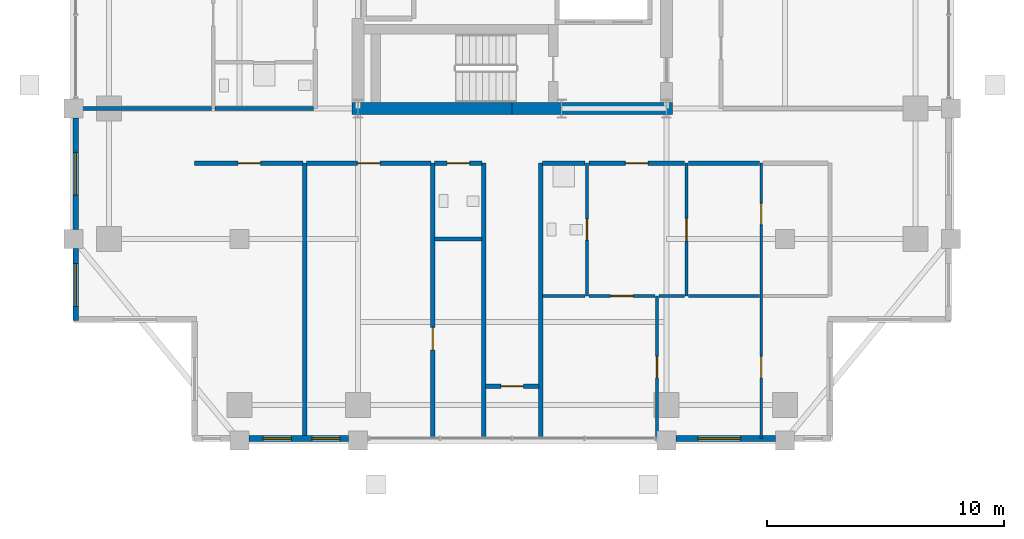
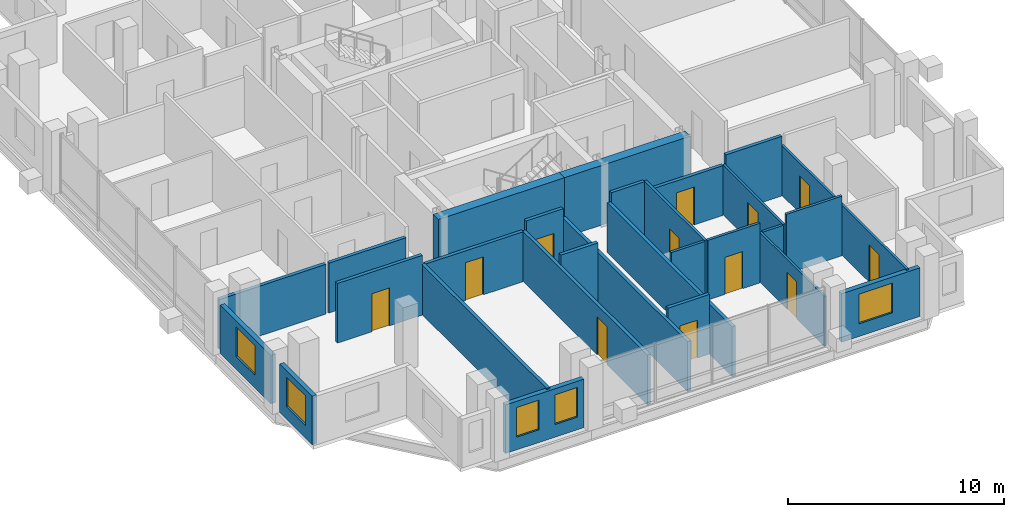
# One storey, part 18 of 24: 28 walls, 12 doors, 5 windows, 17 openings.
"""IFC4 building model written with IfcOpenShell, lengths in metres."""

from ifc_helpers import new_model, si_unit, direction, frame, frame_2d, origin, place, context, subcontext, project, spatial, rectangle, extrude, material, layer, layer_set, type_object, element, fill, save


model = new_model("IFC4")

# Units and contexts
model_context = context("Model", 3, precision=1e-05, world=origin(), true_north=direction((0.0, 1.0)))
body_context = subcontext(model_context, "Body", "Model", "MODEL_VIEW")
ifc_project = project(units=[si_unit("LENGTHUNIT", "METRE"), si_unit("AREAUNIT", "SQUARE_METRE"), si_unit("VOLUMEUNIT", "CUBIC_METRE"), si_unit("PLANEANGLEUNIT", "RADIAN"), si_unit("MASSUNIT", "GRAM", prefix="KILO")], contexts=[model_context])

# Site, building, storey
site_placement = place(None, origin())
site = spatial("IfcSite", under=ifc_project, at=site_placement, CompositionType="ELEMENT")
building_placement = place(site_placement, origin())
building = spatial("IfcBuilding", under=site, at=building_placement, Name="Barlavira Tower and Art Museum", CompositionType="ELEMENT")
storey_placement = place(building_placement, frame((0.0, 0.0, 190.800048828125)))
storey = spatial("IfcBuildingStorey", under=building, at=storey_placement, Name="L49", CompositionType="ELEMENT", Elevation=190.800048828125)

# Wall, opening, door
ifc_material_1 = material(Name="Gypsum acoustic stud partition", Category="gypsum")
ifc_layer_1 = layer(ifc_material_1, 0.1201171875, Name="Gypsum acoustic stud partition")
ifc_layer_set_1 = layer_set([ifc_layer_1], Name="Gypsum acoustic stud partition")
wall_type_1 = type_object("IfcWallType", Name="Apartment Internal Acoustic Partition 120", PredefinedType="PARTITIONING", material=ifc_layer_set_1)
wall_1_placement = place(storey_placement, frame((6.10009765625, -21.39990234375, 0.0), z_axis=(0.0, 0.0, 1.0), x_axis=(0.0, 1.0, 0.0)))
wall_1 = element("IfcWall", 1, at=wall_1_placement, inside=storey, type_object=wall_type_1, Name="L49 Partition Wall 18", PredefinedType="PARTITIONING", context=body_context, shape_type="SweptSolid", body=[
    extrude(rectangle(XDim=6.0, YDim=0.1201171875, at=frame_2d((3.0, 0.0))), origin(), (0.0, 0.0, 1.0), 2.825927734375),
])
opening_1_placement = place(wall_1_placement, frame((2.550048828125, 0.0, 0.0)))
opening_1 = element("IfcOpeningElement", 2, at=opening_1_placement, cuts=wall_1, Name="Opening D-01", PredefinedType="OPENING", context=body_context, shape_type="SweptSolid", body=[
    extrude(rectangle(XDim=0.89990234375, YDim=2.10009765625, at=frame_2d((0.449951171875, 1.050048828125))), frame((0.0, 0.070068359375, 0.0), z_axis=(0.0, -1.0, 0.0), x_axis=(1.0, 0.0, 0.0)), (0.0, 0.0, 1.0), 0.14013671875),
])
ifc_material_2 = material(Name="Engineered coastal hardwood", Category="wood")
door_type_1 = type_object("IfcDoorType", Name="Internal Bedroom Timber Flush Door 900x2100", OperationType="NOTDEFINED", PredefinedType="DOOR", material=ifc_material_2)
door_1_placement = place(opening_1_placement, origin())
door_1 = element("IfcDoor", 3, at=door_1_placement, inside=storey, type_object=door_type_1, Name="Apartment SE1 Bedroom 1 Door", OperationType="SINGLE_SWING_RIGHT", OverallHeight=2.10009765625, OverallWidth=0.89990234375, PredefinedType="DOOR", context=body_context, shape_type="SweptSolid", body=[
    extrude(rectangle(XDim=0.89990234375, YDim=2.10009765625, at=frame_2d((0.449951171875, 1.050048828125))), frame((0.0, 0.02490234375, 0.0), z_axis=(0.0, -1.0, 0.0), x_axis=(1.0, 0.0, 0.0)), (0.0, 0.0, 1.0), 0.050048828125),
])
fill(opening_1, door_1)

wall_2_placement = place(storey_placement, frame((7.35009765625, -15.39990234375, 0.0), z_axis=(0.0, 0.0, 1.0), x_axis=(0.0, 1.0, 0.0)))
wall_2 = element("IfcWall", 4, at=wall_2_placement, inside=storey, type_object=wall_type_1, Name="L49 Partition Wall 20", PredefinedType="PARTITIONING", context=body_context, shape_type="SweptSolid", body=[
    extrude(rectangle(XDim=5.599853515625, YDim=0.1201171875, at=frame_2d((2.7998046875, 0.0))), origin(), (0.0, 0.0, 1.0), 2.825927734375),
])
opening_2_placement = place(wall_2_placement, frame((2.324951171875, 0.0, 0.0)))
opening_2 = element("IfcOpeningElement", 5, at=opening_2_placement, cuts=wall_2, Name="Opening D-02", PredefinedType="OPENING", context=body_context, shape_type="SweptSolid", body=[
    extrude(rectangle(XDim=0.949951171875, YDim=2.10009765625, at=frame_2d((0.47509765625, 1.050048828125))), frame((0.0, 0.070068359375, 0.0), z_axis=(0.0, -1.0, 0.0), x_axis=(1.0, 0.0, 0.0)), (0.0, 0.0, 1.0), 0.14013671875),
])
door_type_2 = type_object("IfcDoorType", Name="Living and Salon Glazed-Leaf Door 950x2100", OperationType="NOTDEFINED", PredefinedType="DOOR", material=ifc_material_2)
door_2_placement = place(opening_2_placement, origin())
door_2 = element("IfcDoor", 6, at=door_2_placement, inside=storey, type_object=door_type_2, Name="Apartment SE1 Kitchen Door", OperationType="SINGLE_SWING_LEFT", OverallHeight=2.10009765625, OverallWidth=0.949951171875, PredefinedType="DOOR", context=body_context, shape_type="SweptSolid", body=[
    extrude(rectangle(XDim=0.949951171875, YDim=2.10009765625, at=frame_2d((0.47509765625, 1.050048828125))), frame((0.0, 0.02490234375, 0.0), z_axis=(0.0, -1.0, 0.0), x_axis=(1.0, 0.0, 0.0)), (0.0, 0.0, 1.0), 0.050048828125),
])
fill(opening_2, door_2)

# Wall, openings, doors
wall_3_placement = place(storey_placement, frame((10.5, -21.39990234375, 0.0), z_axis=(0.0, 0.0, 1.0), x_axis=(0.0, 1.0, 0.0)))
wall_3 = element("IfcWall", 7, at=wall_3_placement, inside=storey, type_object=wall_type_1, Name="L49 Partition Wall 23", PredefinedType="PARTITIONING", context=body_context, shape_type="SweptSolid", body=[
    extrude(rectangle(XDim=11.599853515625, YDim=0.1201171875, at=frame_2d((5.7998046875, 0.0))), origin(), (0.0, 0.0, 1.0), 2.825927734375),
])
opening_3_placement = place(wall_3_placement, frame((9.005859375, 0.0, 0.0)))
opening_3 = element("IfcOpeningElement", 8, at=opening_3_placement, cuts=wall_3, Name="Opening D-01", PredefinedType="OPENING", context=body_context, shape_type="SweptSolid", body=[
    extrude(rectangle(XDim=0.89990234375, YDim=2.10009765625, at=frame_2d((0.449951171875, 1.050048828125))), frame((0.0, 0.070068359375, 0.0), z_axis=(0.0, -1.0, 0.0), x_axis=(1.0, 0.0, 0.0)), (0.0, 0.0, 1.0), 0.14013671875),
])
opening_4_placement = place(wall_3_placement, frame((2.550048828125, 0.0, 0.0)))
opening_4 = element("IfcOpeningElement", 9, at=opening_4_placement, cuts=wall_3, Name="Opening D-01", PredefinedType="OPENING", context=body_context, shape_type="SweptSolid", body=[
    extrude(rectangle(XDim=0.89990234375, YDim=2.10009765625, at=frame_2d((0.449951171875, 1.050048828125))), frame((0.0, 0.070068359375, 0.0), z_axis=(0.0, -1.0, 0.0), x_axis=(1.0, 0.0, 0.0)), (0.0, 0.0, 1.0), 0.14013671875),
])
door_3_placement = place(opening_3_placement, origin())
door_3 = element("IfcDoor", 10, at=door_3_placement, inside=storey, type_object=door_type_1, Name="Apartment SE1 Walk-In Dressing Room Door", OperationType="SINGLE_SWING_RIGHT", OverallHeight=2.10009765625, OverallWidth=0.89990234375, PredefinedType="DOOR", context=body_context, shape_type="SweptSolid", body=[
    extrude(rectangle(XDim=0.89990234375, YDim=2.10009765625, at=frame_2d((0.449951171875, 1.050048828125))), frame((0.0, 0.02490234375, 0.0), z_axis=(0.0, -1.0, 0.0), x_axis=(1.0, 0.0, 0.0)), (0.0, 0.0, 1.0), 0.050048828125),
])
fill(opening_3, door_3)
door_4_placement = place(opening_4_placement, origin())
door_4 = element("IfcDoor", 11, at=door_4_placement, inside=storey, type_object=door_type_1, Name="Apartment SE1 Bedroom 2 Door", OperationType="SINGLE_SWING_LEFT", OverallHeight=2.10009765625, OverallWidth=0.89990234375, PredefinedType="DOOR", context=body_context, shape_type="SweptSolid", body=[
    extrude(rectangle(XDim=0.89990234375, YDim=2.10009765625, at=frame_2d((0.449951171875, 1.050048828125))), frame((0.0, 0.02490234375, 0.0), z_axis=(0.0, -1.0, 0.0), x_axis=(1.0, 0.0, 0.0)), (0.0, 0.0, 1.0), 0.050048828125),
])
fill(opening_4, door_4)

# Walls
ifc_material_3 = material(Name="Concrete C60", Category="concrete")
ifc_layer_2 = layer(ifc_material_3, 0.5, Name="Concrete C60")
ifc_layer_set_2 = layer_set([ifc_layer_2], Name="Concrete C60")
wall_type_2 = type_object("IfcWallType", Name="Core Structural Shear Wall 500 Concrete C60", PredefinedType="SHEAR", material=ifc_layer_set_2)
for number, where, z_axis, x_axis, name in (
    (12, (-6.75, -7.5, 0.0), (0.0, 0.0, 1.0), (1.0, 0.0, 0.0), "L49 Core Shear Wall CS-SW"),
    (13, (0.0, -7.5, 0.0), (0.0, 0.0, 1.0), (1.0, 0.0, 0.0), "L49 Core Shear Wall CS-SE"),
):
    element("IfcWall", number, at=place(storey_placement, frame(where, z_axis=z_axis, x_axis=x_axis)), inside=storey, type_object=wall_type_2, Name=name, PredefinedType="SHEAR", context=body_context, shape_type="SweptSolid", body=[
        extrude(rectangle(XDim=6.75, YDim=0.5, at=frame_2d((3.375, 0.0))), origin(), (0.0, 0.0, 1.0), 3.3798828125),
    ])
ifc_layer_3 = layer(ifc_material_1, 0.179931640625, Name="Gypsum acoustic stud partition")
ifc_layer_set_3 = layer_set([ifc_layer_3], Name="Gypsum acoustic stud partition")
wall_type_3 = type_object("IfcWallType", Name="Inter-Tenancy Party Partition Wall 180", PredefinedType="PARTITIONING", material=ifc_layer_set_3)
wall_4_placement = place(storey_placement, frame((-8.75, -21.39990234375, 0.0), z_axis=(0.0, 0.0, 1.0), x_axis=(0.0, 1.0, 0.0)))
element("IfcWall", 14, at=wall_4_placement, inside=storey, type_object=wall_type_3, Name="L49 Partition Wall 4", PredefinedType="PARTITIONING", context=body_context, shape_type="SweptSolid", body=[
    extrude(rectangle(XDim=11.599853515625, YDim=0.179931640625, at=frame_2d((5.7998046875, 0.0))), origin(), (0.0, 0.0, 1.0), 2.825927734375),
])

# Wall, opening, door
wall_5_placement = place(storey_placement, frame((-3.35009765625, -21.39990234375, 0.0), z_axis=(0.0, 0.0, 1.0), x_axis=(0.0, 1.0, 0.0)))
wall_5 = element("IfcWall", 15, at=wall_5_placement, inside=storey, type_object=wall_type_3, Name="L49 Partition Wall 10", PredefinedType="PARTITIONING", context=body_context, shape_type="SweptSolid", body=[
    extrude(rectangle(XDim=11.599853515625, YDim=0.179931640625, at=frame_2d((5.7998046875, 0.0))), origin(), (0.0, 0.0, 1.0), 2.825927734375),
])
opening_5_placement = place(wall_5_placement, frame((3.72509765625, 0.0, 0.0)))
opening_5 = element("IfcOpeningElement", 16, at=opening_5_placement, cuts=wall_5, Name="Opening FD-60", PredefinedType="OPENING", context=body_context, shape_type="SweptSolid", body=[
    extrude(rectangle(XDim=0.949951171875, YDim=2.14990234375, at=frame_2d((0.47509765625, 1.074951171875))), frame((0.0, 0.10009765625, 0.0), z_axis=(0.0, -1.0, 0.0), x_axis=(1.0, 0.0, 0.0)), (0.0, 0.0, 1.0), 0.199951171875),
])
ifc_material_4 = material(Name="Brushed stainless steel", Category="steel")
door_type_3 = type_object("IfcDoorType", Name="Apartment Entrance and Riser Fire Door 950x2150 FD60S", OperationType="NOTDEFINED", PredefinedType="DOOR", material=ifc_material_4)
door_5_placement = place(opening_5_placement, origin())
door_5 = element("IfcDoor", 17, at=door_5_placement, inside=storey, type_object=door_type_3, Name="Thermal Relaxation Lounge Door", OperationType="SINGLE_SWING_RIGHT", OverallHeight=2.14990234375, OverallWidth=0.949951171875, PredefinedType="DOOR", context=body_context, shape_type="SweptSolid", body=[
    extrude(rectangle(XDim=0.949951171875, YDim=2.14990234375, at=frame_2d((0.47509765625, 1.074951171875))), frame((0.0, 0.02490234375, 0.0), z_axis=(0.0, -1.0, 0.0), x_axis=(1.0, 0.0, 0.0)), (0.0, 0.0, 1.0), 0.050048828125),
])
fill(opening_5, door_5)

# Walls
for number, where, z_axis, x_axis, name in (
    (18, (-1.199951171875, -21.39990234375, 0.0), (0.0, 0.0, 1.0), (0.0, 1.0, 0.0), "L49 Partition Wall 11"),
    (19, (1.199951171875, -21.39990234375, 0.0), (0.0, 0.0, 1.0), (0.0, 1.0, 0.0), "L49 Partition Wall 13"),
):
    element("IfcWall", number, at=place(storey_placement, frame(where, z_axis=z_axis, x_axis=x_axis)), inside=storey, type_object=wall_type_3, Name=name, PredefinedType="PARTITIONING", context=body_context, shape_type="SweptSolid", body=[
        extrude(rectangle(XDim=11.599853515625, YDim=0.179931640625, at=frame_2d((5.7998046875, 0.0))), origin(), (0.0, 0.0, 1.0), 2.825927734375),
    ])

# Wall, opening, door
wall_6_placement = place(storey_placement, frame((-1.1201171875, -19.199951171875, 0.0), z_axis=(0.0, 0.0, 1.0), x_axis=(1.0, 0.0, 0.0)))
wall_6 = element("IfcWall", 20, at=wall_6_placement, inside=storey, type_object=wall_type_3, Name="L49 Partition Wall 27", PredefinedType="PARTITIONING", context=body_context, shape_type="SweptSolid", body=[
    extrude(rectangle(XDim=2.240234375, YDim=0.179931640625, at=frame_2d((1.1201171875, 0.0))), origin(), (0.0, 0.0, 1.0), 3.3798828125),
])
opening_6_placement = place(wall_6_placement, frame((0.64501953125, 0.0, 0.0)))
opening_6 = element("IfcOpeningElement", 21, at=opening_6_placement, cuts=wall_6, Name="Opening FD-60", PredefinedType="OPENING", context=body_context, shape_type="SweptSolid", body=[
    extrude(rectangle(XDim=0.949951171875, YDim=2.14990234375, at=frame_2d((0.47509765625, 1.074951171875))), frame((0.0, 0.10009765625, 0.0), z_axis=(0.0, -1.0, 0.0), x_axis=(1.0, 0.0, 0.0)), (0.0, 0.0, 1.0), 0.199951171875),
])
door_6_placement = place(opening_6_placement, origin())
door_6 = element("IfcDoor", 22, at=door_6_placement, inside=storey, type_object=door_type_3, Name="L49 South Horizon Reading Alcove Door", OperationType="SINGLE_SWING_RIGHT", OverallHeight=2.14990234375, OverallWidth=0.949951171875, PredefinedType="DOOR", context=body_context, shape_type="SweptSolid", body=[
    extrude(rectangle(XDim=0.949951171875, YDim=2.14990234375, at=frame_2d((0.47509765625, 1.074951171875))), frame((0.0, 0.02490234375, 0.0), z_axis=(0.0, -1.0, 0.0), x_axis=(1.0, 0.0, 0.0)), (0.0, 0.0, 1.0), 0.050048828125),
])
fill(opening_6, door_6)

# Wall
wall_7_placement = place(storey_placement, frame((-3.27001953125, -13.0, 0.0), z_axis=(0.0, 0.0, 1.0), x_axis=(1.0, 0.0, 0.0)))
element("IfcWall", 23, at=wall_7_placement, inside=storey, type_object=wall_type_3, Name="L49 Partition Wall 33", PredefinedType="PARTITIONING", context=body_context, shape_type="SweptSolid", body=[
    extrude(rectangle(XDim=1.989990234375, YDim=0.179931640625, at=frame_2d((0.9951171875, 0.0))), origin(), (0.0, 0.0, 1.0), 3.3798828125),
])

# Wall, opening, door
wall_8_placement = place(storey_placement, frame((-13.39990234375, -9.800048828125, 0.0), z_axis=(0.0, 0.0, 1.0), x_axis=(1.0, 0.0, 0.0)))
wall_8 = element("IfcWall", 24, at=wall_8_placement, inside=storey, type_object=wall_type_3, Name="L49 Partition Wall 34", PredefinedType="PARTITIONING", context=body_context, shape_type="SweptSolid", body=[
    extrude(rectangle(XDim=4.56982421875, YDim=0.179931640625, at=frame_2d((2.284912109375, 0.0))), origin(), (0.0, 0.0, 1.0), 3.3798828125),
])
opening_7_placement = place(wall_8_placement, frame((1.844970703125, 0.0, 0.0)))
opening_7 = element("IfcOpeningElement", 25, at=opening_7_placement, cuts=wall_8, Name="Opening FD-60", PredefinedType="OPENING", context=body_context, shape_type="SweptSolid", body=[
    extrude(rectangle(XDim=0.949951171875, YDim=2.14990234375, at=frame_2d((0.47509765625, 1.074951171875))), frame((0.0, 0.10009765625, 0.0), z_axis=(0.0, -1.0, 0.0), x_axis=(1.0, 0.0, 0.0)), (0.0, 0.0, 1.0), 0.199951171875),
])
door_7_placement = place(opening_7_placement, origin())
door_7 = element("IfcDoor", 26, at=door_7_placement, inside=storey, type_object=door_type_3, Name="Resident Ocean-View Fitness Studio Door", OperationType="SINGLE_SWING_LEFT", OverallHeight=2.14990234375, OverallWidth=0.949951171875, PredefinedType="DOOR", context=body_context, shape_type="SweptSolid", body=[
    extrude(rectangle(XDim=0.949951171875, YDim=2.14990234375, at=frame_2d((0.47509765625, 1.074951171875))), frame((0.0, 0.02490234375, 0.0), z_axis=(0.0, -1.0, 0.0), x_axis=(1.0, 0.0, 0.0)), (0.0, 0.0, 1.0), 0.050048828125),
])
fill(opening_7, door_7)

wall_9_placement = place(storey_placement, frame((-8.669921875, -9.800048828125, 0.0), z_axis=(0.0, 0.0, 1.0), x_axis=(1.0, 0.0, 0.0)))
wall_9 = element("IfcWall", 27, at=wall_9_placement, inside=storey, type_object=wall_type_3, Name="L49 Partition Wall 35", PredefinedType="PARTITIONING", context=body_context, shape_type="SweptSolid", body=[
    extrude(rectangle(XDim=5.239990234375, YDim=0.179931640625, at=frame_2d((2.6201171875, 0.0))), origin(), (0.0, 0.0, 1.0), 2.825927734375),
])
opening_8_placement = place(wall_9_placement, frame((2.14501953125, 0.0, 0.0)))
opening_8 = element("IfcOpeningElement", 28, at=opening_8_placement, cuts=wall_9, Name="Opening FD-60", PredefinedType="OPENING", context=body_context, shape_type="SweptSolid", body=[
    extrude(rectangle(XDim=0.949951171875, YDim=2.14990234375, at=frame_2d((0.47509765625, 1.074951171875))), frame((0.0, 0.10009765625, 0.0), z_axis=(0.0, -1.0, 0.0), x_axis=(1.0, 0.0, 0.0)), (0.0, 0.0, 1.0), 0.199951171875),
])
door_8_placement = place(opening_8_placement, origin())
door_8 = element("IfcDoor", 29, at=door_8_placement, inside=storey, type_object=door_type_3, Name="Coastal Hydrotherapy and Yoga Lounge Door", OperationType="SINGLE_SWING_RIGHT", OverallHeight=2.14990234375, OverallWidth=0.949951171875, PredefinedType="DOOR", context=body_context, shape_type="SweptSolid", body=[
    extrude(rectangle(XDim=0.949951171875, YDim=2.14990234375, at=frame_2d((0.47509765625, 1.074951171875))), frame((0.0, 0.02490234375, 0.0), z_axis=(0.0, -1.0, 0.0), x_axis=(1.0, 0.0, 0.0)), (0.0, 0.0, 1.0), 0.050048828125),
])
fill(opening_8, door_8)

wall_10_placement = place(storey_placement, frame((-3.27001953125, -9.800048828125, 0.0), z_axis=(0.0, 0.0, 1.0), x_axis=(1.0, 0.0, 0.0)))
wall_10 = element("IfcWall", 30, at=wall_10_placement, inside=storey, type_object=wall_type_3, Name="L49 Partition Wall 36", PredefinedType="PARTITIONING", context=body_context, shape_type="SweptSolid", body=[
    extrude(rectangle(XDim=1.989990234375, YDim=0.179931640625, at=frame_2d((0.9951171875, 0.0))), origin(), (0.0, 0.0, 1.0), 3.3798828125),
])
opening_9_placement = place(wall_10_placement, frame((0.52490234375, 0.0, 0.0)))
opening_9 = element("IfcOpeningElement", 31, at=opening_9_placement, cuts=wall_10, Name="Opening FD-60", PredefinedType="OPENING", context=body_context, shape_type="SweptSolid", body=[
    extrude(rectangle(XDim=0.949951171875, YDim=2.14990234375, at=frame_2d((0.47509765625, 1.074951171875))), frame((0.0, 0.10009765625, 0.0), z_axis=(0.0, -1.0, 0.0), x_axis=(1.0, 0.0, 0.0)), (0.0, 0.0, 1.0), 0.199951171875),
])
door_9_placement = place(opening_9_placement, origin())
door_9 = element("IfcDoor", 32, at=door_9_placement, inside=storey, type_object=door_type_3, Name="Wellness Changing and Accessible Shower WC Door", OperationType="SINGLE_SWING_LEFT", OverallHeight=2.14990234375, OverallWidth=0.949951171875, PredefinedType="DOOR", context=body_context, shape_type="SweptSolid", body=[
    extrude(rectangle(XDim=0.949951171875, YDim=2.14990234375, at=frame_2d((0.47509765625, 1.074951171875))), frame((0.0, 0.02490234375, 0.0), z_axis=(0.0, -1.0, 0.0), x_axis=(1.0, 0.0, 0.0)), (0.0, 0.0, 1.0), 0.050048828125),
])
fill(opening_9, door_9)

# Wall
wall_11_placement = place(storey_placement, frame((1.280029296875, -9.800048828125, 0.0), z_axis=(0.0, 0.0, 1.0), x_axis=(1.0, 0.0, 0.0)))
element("IfcWall", 33, at=wall_11_placement, inside=storey, type_object=wall_type_3, Name="L49 Partition Wall 37", PredefinedType="PARTITIONING", context=body_context, shape_type="SweptSolid", body=[
    extrude(rectangle(XDim=1.7900390625, YDim=0.179931640625, at=frame_2d((0.89501953125, 0.0))), origin(), (0.0, 0.0, 1.0), 3.3798828125),
])

# Wall, opening, door
wall_12_placement = place(storey_placement, frame((3.22998046875, -9.800048828125, 0.0), z_axis=(0.0, 0.0, 1.0), x_axis=(1.0, 0.0, 0.0)))
wall_12 = element("IfcWall", 34, at=wall_12_placement, inside=storey, type_object=wall_type_3, Name="L49 Partition Wall 38", PredefinedType="PARTITIONING", context=body_context, shape_type="SweptSolid", body=[
    extrude(rectangle(XDim=4.0400390625, YDim=0.179931640625, at=frame_2d((2.02001953125, 0.0))), origin(), (0.0, 0.0, 1.0), 2.825927734375),
])
opening_10_placement = place(wall_12_placement, frame((1.544921875, 0.0, 0.0)))
opening_10 = element("IfcOpeningElement", 35, at=opening_10_placement, cuts=wall_12, Name="Opening FD-60", PredefinedType="OPENING", context=body_context, shape_type="SweptSolid", body=[
    extrude(rectangle(XDim=0.949951171875, YDim=2.14990234375, at=frame_2d((0.47509765625, 1.074951171875))), frame((0.0, 0.10009765625, 0.0), z_axis=(0.0, -1.0, 0.0), x_axis=(1.0, 0.0, 0.0)), (0.0, 0.0, 1.0), 0.199951171875),
])
door_10_placement = place(opening_10_placement, origin())
door_10 = element("IfcDoor", 36, at=door_10_placement, inside=storey, type_object=door_type_3, Name="Apartment Entrance Hall SE1 Door", OperationType="SINGLE_SWING_RIGHT", OverallHeight=2.14990234375, OverallWidth=0.949951171875, PredefinedType="DOOR", context=body_context, shape_type="SweptSolid", body=[
    extrude(rectangle(XDim=0.949951171875, YDim=2.14990234375, at=frame_2d((0.47509765625, 1.074951171875))), frame((0.0, 0.02490234375, 0.0), z_axis=(0.0, -1.0, 0.0), x_axis=(1.0, 0.0, 0.0)), (0.0, 0.0, 1.0), 0.050048828125),
])
fill(opening_10, door_10)

# Walls
wall_13_placement = place(storey_placement, frame((7.429931640625, -9.800048828125, 0.0), z_axis=(0.0, 0.0, 1.0), x_axis=(1.0, 0.0, 0.0)))
element("IfcWall", 37, at=wall_13_placement, inside=storey, type_object=wall_type_3, Name="L49 Partition Wall 39", PredefinedType="PARTITIONING", context=body_context, shape_type="SweptSolid", body=[
    extrude(rectangle(XDim=2.989990234375, YDim=0.179931640625, at=frame_2d((1.4951171875, 0.0))), origin(), (0.0, 0.0, 1.0), 3.3798828125),
])
wall_14_placement = place(storey_placement, frame((-18.39990234375, -7.5, 0.0), z_axis=(0.0, 0.0, 1.0), x_axis=(1.0, 0.0, 0.0)))
element("IfcWall", 38, at=wall_14_placement, inside=storey, type_object=wall_type_3, Name="L49 Partition Wall 41", PredefinedType="PARTITIONING", context=body_context, shape_type="SweptSolid", body=[
    extrude(rectangle(XDim=5.719970703125, YDim=0.179931640625, at=frame_2d((2.85986328125, 0.0))), origin(), (0.0, 0.0, 1.0), 2.825927734375),
])
wall_15_placement = place(storey_placement, frame((-12.52001953125, -7.5, 0.0), z_axis=(0.0, 0.0, 1.0), x_axis=(1.0, 0.0, 0.0)))
element("IfcWall", 39, at=wall_15_placement, inside=storey, type_object=wall_type_3, Name="L49 Partition Wall 42", PredefinedType="PARTITIONING", context=body_context, shape_type="SweptSolid", body=[
    extrude(rectangle(XDim=4.14013671875, YDim=0.179931640625, at=frame_2d((2.070068359375, 0.0))), origin(), (0.0, 0.0, 1.0), 2.825927734375),
])

# Wall, opening, door
ifc_layer_4 = layer(ifc_material_1, 0.139892578125, Name="Gypsum acoustic stud partition")
ifc_layer_set_4 = layer_set([ifc_layer_4], Name="Gypsum acoustic stud partition")
wall_type_4 = type_object("IfcWallType", Name="Moisture-Resistant Bathroom Partition 140", PredefinedType="PARTITIONING", material=ifc_layer_set_4)
wall_16_placement = place(storey_placement, frame((3.14990234375, -15.39990234375, 0.0), z_axis=(0.0, 0.0, 1.0), x_axis=(0.0, 1.0, 0.0)))
wall_16 = element("IfcWall", 40, at=wall_16_placement, inside=storey, type_object=wall_type_4, Name="L49 Partition Wall 15", PredefinedType="PARTITIONING", context=body_context, shape_type="SweptSolid", body=[
    extrude(rectangle(XDim=5.599853515625, YDim=0.139892578125, at=frame_2d((2.7998046875, 0.0))), origin(), (0.0, 0.0, 1.0), 3.3798828125),
])
opening_11_placement = place(wall_16_placement, frame((2.35009765625, 0.0, 0.0)))
opening_11 = element("IfcOpeningElement", 41, at=opening_11_placement, cuts=wall_16, Name="Opening D-WC", PredefinedType="OPENING", context=body_context, shape_type="SweptSolid", body=[
    extrude(rectangle(XDim=0.89990234375, YDim=2.10009765625, at=frame_2d((0.449951171875, 1.050048828125))), frame((0.0, 0.080078125, 0.0), z_axis=(0.0, -1.0, 0.0), x_axis=(1.0, 0.0, 0.0)), (0.0, 0.0, 1.0), 0.159912109375),
])
door_type_4 = type_object("IfcDoorType", Name="Accessible Bathroom Flush Door 900x2100", OperationType="NOTDEFINED", PredefinedType="DOOR", material=ifc_material_2)
door_11_placement = place(opening_11_placement, origin())
door_11 = element("IfcDoor", 42, at=door_11_placement, inside=storey, type_object=door_type_4, Name="Apartment SE1 Hall Bathroom Door", OperationType="SINGLE_SWING_LEFT", OverallHeight=2.10009765625, OverallWidth=0.89990234375, PredefinedType="DOOR", context=body_context, shape_type="SweptSolid", body=[
    extrude(rectangle(XDim=0.89990234375, YDim=2.10009765625, at=frame_2d((0.449951171875, 1.050048828125))), frame((0.0, 0.02490234375, 0.0), z_axis=(0.0, -1.0, 0.0), x_axis=(1.0, 0.0, 0.0)), (0.0, 0.0, 1.0), 0.050048828125),
])
fill(opening_11, door_11)

# Wall
wall_17_placement = place(storey_placement, frame((1.280029296875, -15.39990234375, 0.0), z_axis=(0.0, 0.0, 1.0), x_axis=(1.0, 0.0, 0.0)))
element("IfcWall", 43, at=wall_17_placement, inside=storey, type_object=wall_type_4, Name="L49 Partition Wall 28", PredefinedType="PARTITIONING", context=body_context, shape_type="SweptSolid", body=[
    extrude(rectangle(XDim=1.7900390625, YDim=0.139892578125, at=frame_2d((0.89501953125, 0.0))), origin(), (0.0, 0.0, 1.0), 3.3798828125),
])

# Wall, opening, door
wall_18_placement = place(storey_placement, frame((3.22998046875, -15.39990234375, 0.0), z_axis=(0.0, 0.0, 1.0), x_axis=(1.0, 0.0, 0.0)))
wall_18 = element("IfcWall", 44, at=wall_18_placement, inside=storey, type_object=wall_type_4, Name="L49 Partition Wall 29", PredefinedType="PARTITIONING", context=body_context, shape_type="SweptSolid", body=[
    extrude(rectangle(XDim=2.7900390625, YDim=0.139892578125, at=frame_2d((1.39501953125, 0.0))), origin(), (0.0, 0.0, 1.0), 3.3798828125),
])
opening_12_placement = place(wall_18_placement, frame((0.9150390625, 0.0, 0.0)))
opening_12 = element("IfcOpeningElement", 45, at=opening_12_placement, cuts=wall_18, Name="Opening D-02", PredefinedType="OPENING", context=body_context, shape_type="SweptSolid", body=[
    extrude(rectangle(XDim=0.949951171875, YDim=2.10009765625, at=frame_2d((0.47509765625, 1.050048828125))), frame((0.0, 0.080078125, 0.0), z_axis=(0.0, -1.0, 0.0), x_axis=(1.0, 0.0, 0.0)), (0.0, 0.0, 1.0), 0.159912109375),
])
door_12_placement = place(opening_12_placement, origin())
door_12 = element("IfcDoor", 46, at=door_12_placement, inside=storey, type_object=door_type_2, Name="Apartment SE1 Living Lounge Door", OperationType="SINGLE_SWING_LEFT", OverallHeight=2.10009765625, OverallWidth=0.949951171875, PredefinedType="DOOR", context=body_context, shape_type="SweptSolid", body=[
    extrude(rectangle(XDim=0.949951171875, YDim=2.10009765625, at=frame_2d((0.47509765625, 1.050048828125))), frame((0.0, 0.02490234375, 0.0), z_axis=(0.0, -1.0, 0.0), x_axis=(1.0, 0.0, 0.0)), (0.0, 0.0, 1.0), 0.050048828125),
])
fill(opening_12, door_12)

# Walls
wall_19_placement = place(storey_placement, frame((6.179931640625, -15.39990234375, 0.0), z_axis=(0.0, 0.0, 1.0), x_axis=(1.0, 0.0, 0.0)))
element("IfcWall", 47, at=wall_19_placement, inside=storey, type_object=wall_type_4, Name="L49 Partition Wall 30", PredefinedType="PARTITIONING", context=body_context, shape_type="SweptSolid", body=[
    extrude(rectangle(XDim=1.090087890625, YDim=0.139892578125, at=frame_2d((0.544921875, 0.0))), origin(), (0.0, 0.0, 1.0), 2.825927734375),
])
wall_20_placement = place(storey_placement, frame((7.429931640625, -15.39990234375, 0.0), z_axis=(0.0, 0.0, 1.0), x_axis=(1.0, 0.0, 0.0)))
element("IfcWall", 48, at=wall_20_placement, inside=storey, type_object=wall_type_4, Name="L49 Partition Wall 31", PredefinedType="PARTITIONING", context=body_context, shape_type="SweptSolid", body=[
    extrude(rectangle(XDim=2.989990234375, YDim=0.139892578125, at=frame_2d((1.4951171875, 0.0))), origin(), (0.0, 0.0, 1.0), 3.3798828125),
])

# Wall, openings, windows
ifc_material_5 = material(Name="Precast concrete C40", Category="concrete")
ifc_layer_5 = layer(ifc_material_5, 0.25, Name="Precast concrete C40")
ifc_layer_set_5 = layer_set([ifc_layer_5], Name="Precast concrete C40")
wall_type_5 = type_object("IfcWallType", Name="Notched Corner Spandrel Wall 250 Precast Concrete C40", PredefinedType="SOLIDWALL", material=ifc_layer_set_5)
wall_21_placement = place(storey_placement, frame((-11.10498046875, -21.39990234375, 0.0), z_axis=(0.0, 0.0, 1.0), x_axis=(1.0, 0.0, 0.0)))
wall_21 = element("IfcWall", 49, at=wall_21_placement, inside=storey, type_object=wall_type_5, Name="L49 Coastal Facade Pier Wall CW3-L49-S-2", PredefinedType="SOLIDWALL", context=body_context, shape_type="SweptSolid", body=[
    extrude(rectangle(XDim=4.2099609375, YDim=0.25, at=frame_2d((2.10498046875, 0.0))), origin(), (0.0, 0.0, 1.0), 2.748046875),
])
opening_13_placement = place(wall_21_placement, frame((0.594970703125, 0.0, 0.719970703125)))
opening_13 = element("IfcOpeningElement", 50, at=opening_13_placement, cuts=wall_21, Name="Opening WN-05", PredefinedType="OPENING", context=body_context, shape_type="SweptSolid", body=[
    extrude(rectangle(XDim=1.199951171875, YDim=1.679931640625, at=frame_2d((0.60009765625, 0.83984375))), frame((0.0, 0.135009765625, 0.0), z_axis=(0.0, -1.0, 0.0), x_axis=(1.0, 0.0, 0.0)), (0.0, 0.0, 1.0), 0.27001953125),
])
opening_14_placement = place(wall_21_placement, frame((2.655029296875, 0.0, 0.719970703125)))
opening_14 = element("IfcOpeningElement", 51, at=opening_14_placement, cuts=wall_21, Name="Opening WN-05", PredefinedType="OPENING", context=body_context, shape_type="SweptSolid", body=[
    extrude(rectangle(XDim=1.199951171875, YDim=1.679931640625, at=frame_2d((0.60009765625, 0.83984375))), frame((0.0, 0.135009765625, 0.0), z_axis=(0.0, -1.0, 0.0), x_axis=(1.0, 0.0, 0.0)), (0.0, 0.0, 1.0), 0.27001953125),
])
ifc_material_6 = material(Name="Low-iron coastal laminated glass", Category="glass")
window_type_1 = type_object("IfcWindowType", Name="Recessed Flank Pier Punch Window 1200x1680", PartitioningType="SINGLE_PANEL", PredefinedType="WINDOW", material=ifc_material_6)
window_1_placement = place(opening_13_placement, origin())
window_1 = element("IfcWindow", 52, at=window_1_placement, inside=storey, type_object=window_type_1, Name="L49 Punched Facade Window EWP-CW3-L49-S-2-1", OverallHeight=1.679931640625, OverallWidth=1.199951171875, PartitioningType="SINGLE_PANEL", PredefinedType="WINDOW", context=body_context, shape_type="SweptSolid", body=[
    extrude(rectangle(XDim=1.199951171875, YDim=1.679931640625, at=frame_2d((0.60009765625, 0.83984375))), frame((0.0, 0.030029296875, 0.0), z_axis=(0.0, -1.0, 0.0), x_axis=(1.0, 0.0, 0.0)), (0.0, 0.0, 1.0), 0.06005859375),
])
fill(opening_13, window_1)
window_2_placement = place(opening_14_placement, origin())
window_2 = element("IfcWindow", 53, at=window_2_placement, inside=storey, type_object=window_type_1, Name="L49 Punched Facade Window EWP-CW3-L49-S-2-2", OverallHeight=1.679931640625, OverallWidth=1.199951171875, PartitioningType="SINGLE_PANEL", PredefinedType="WINDOW", context=body_context, shape_type="SweptSolid", body=[
    extrude(rectangle(XDim=1.199951171875, YDim=1.679931640625, at=frame_2d((0.60009765625, 0.83984375))), frame((0.0, 0.030029296875, 0.0), z_axis=(0.0, -1.0, 0.0), x_axis=(1.0, 0.0, 0.0)), (0.0, 0.0, 1.0), 0.06005859375),
])
fill(opening_14, window_2)

# Wall, opening, window
wall_22_placement = place(storey_placement, frame((6.89501953125, -21.39990234375, 0.0), z_axis=(0.0, 0.0, 1.0), x_axis=(1.0, 0.0, 0.0)))
wall_22 = element("IfcWall", 54, at=wall_22_placement, inside=storey, type_object=wall_type_5, Name="L49 Coastal Facade Pier Wall CW3-L49-S-4", PredefinedType="SOLIDWALL", context=body_context, shape_type="SweptSolid", body=[
    extrude(rectangle(XDim=4.2099609375, YDim=0.25, at=frame_2d((2.10498046875, 0.0))), origin(), (0.0, 0.0, 1.0), 2.748046875),
])
opening_15_placement = place(wall_22_placement, frame((0.93505859375, 0.0, 0.719970703125)))
opening_15 = element("IfcOpeningElement", 55, at=opening_15_placement, cuts=wall_22, Name="Opening WN-01", PredefinedType="OPENING", context=body_context, shape_type="SweptSolid", body=[
    extrude(rectangle(XDim=1.800048828125, YDim=1.679931640625, at=frame_2d((0.89990234375, 0.83984375))), frame((0.0, 0.135009765625, 0.0), z_axis=(0.0, -1.0, 0.0), x_axis=(1.0, 0.0, 0.0)), (0.0, 0.0, 1.0), 0.27001953125),
])
window_type_2 = type_object("IfcWindowType", Name="Recessed Notch Corner Punch Window 1800x1680", PartitioningType="SINGLE_PANEL", PredefinedType="WINDOW", material=ifc_material_6)
window_3_placement = place(opening_15_placement, origin())
window_3 = element("IfcWindow", 56, at=window_3_placement, inside=storey, type_object=window_type_2, Name="L49 Punched Facade Window EWP-CW3-L49-S-4-1", OverallHeight=1.679931640625, OverallWidth=1.800048828125, PartitioningType="SINGLE_PANEL", PredefinedType="WINDOW", context=body_context, shape_type="SweptSolid", body=[
    extrude(rectangle(XDim=1.800048828125, YDim=1.679931640625, at=frame_2d((0.89990234375, 0.83984375))), frame((0.0, 0.030029296875, 0.0), z_axis=(0.0, -1.0, 0.0), x_axis=(1.0, 0.0, 0.0)), (0.0, 0.0, 1.0), 0.06005859375),
])
fill(opening_15, window_3)

wall_23_placement = place(storey_placement, frame((-18.39990234375, -7.89501953125, 0.0), z_axis=(0.0, 0.0, 1.0), x_axis=(0.0, -1.0, 0.0)))
wall_23 = element("IfcWall", 57, at=wall_23_placement, inside=storey, type_object=wall_type_5, Name="L49 Coastal Facade Pier Wall CW3-L49-W-4", PredefinedType="SOLIDWALL", context=body_context, shape_type="SweptSolid", body=[
    extrude(rectangle(XDim=4.7099609375, YDim=0.25, at=frame_2d((2.35498046875, 0.0))), origin(), (0.0, 0.0, 1.0), 2.748046875),
])
opening_16_placement = place(wall_23_placement, frame((1.455078125, 0.0, 0.719970703125)))
opening_16 = element("IfcOpeningElement", 58, at=opening_16_placement, cuts=wall_23, Name="Opening WN-01", PredefinedType="OPENING", context=body_context, shape_type="SweptSolid", body=[
    extrude(rectangle(XDim=1.800048828125, YDim=1.679931640625, at=frame_2d((0.89990234375, 0.83984375))), frame((0.0, 0.135009765625, 0.0), z_axis=(0.0, -1.0, 0.0), x_axis=(1.0, 0.0, 0.0)), (0.0, 0.0, 1.0), 0.27001953125),
])
window_4_placement = place(opening_16_placement, origin())
window_4 = element("IfcWindow", 59, at=window_4_placement, inside=storey, type_object=window_type_2, Name="L49 Punched Facade Window EWP-CW3-L49-W-4-1", OverallHeight=1.679931640625, OverallWidth=1.800048828125, PartitioningType="SINGLE_PANEL", PredefinedType="WINDOW", context=body_context, shape_type="SweptSolid", body=[
    extrude(rectangle(XDim=1.800048828125, YDim=1.679931640625, at=frame_2d((0.89990234375, 0.83984375))), frame((0.0, 0.030029296875, 0.0), z_axis=(0.0, -1.0, 0.0), x_axis=(1.0, 0.0, 0.0)), (0.0, 0.0, 1.0), 0.06005859375),
])
fill(opening_16, window_4)

wall_24_placement = place(storey_placement, frame((-18.39990234375, -13.39501953125, 0.0), z_axis=(0.0, 0.0, 1.0), x_axis=(0.0, -1.0, 0.0)))
wall_24 = element("IfcWall", 60, at=wall_24_placement, inside=storey, type_object=wall_type_5, Name="L49 Coastal Facade Pier Wall CW3-L49-W-5", PredefinedType="SOLIDWALL", context=body_context, shape_type="SweptSolid", body=[
    extrude(rectangle(XDim=3.030029296875, YDim=0.25, at=frame_2d((1.51513671875, 0.0))), origin(), (0.0, 0.0, 1.0), 2.748046875),
])
opening_17_placement = place(wall_24_placement, frame((0.637939453125, 0.0, 0.719970703125)))
opening_17 = element("IfcOpeningElement", 61, at=opening_17_placement, cuts=wall_24, Name="Opening WN-01", PredefinedType="OPENING", context=body_context, shape_type="SweptSolid", body=[
    extrude(rectangle(XDim=1.800048828125, YDim=1.679931640625, at=frame_2d((0.89990234375, 0.83984375))), frame((0.0, 0.135009765625, 0.0), z_axis=(0.0, -1.0, 0.0), x_axis=(1.0, 0.0, 0.0)), (0.0, 0.0, 1.0), 0.27001953125),
])
window_5_placement = place(opening_17_placement, origin())
window_5 = element("IfcWindow", 62, at=window_5_placement, inside=storey, type_object=window_type_2, Name="L49 Punched Facade Window EWP-CW3-L49-W-5-1", OverallHeight=1.679931640625, OverallWidth=1.800048828125, PartitioningType="SINGLE_PANEL", PredefinedType="WINDOW", context=body_context, shape_type="SweptSolid", body=[
    extrude(rectangle(XDim=1.800048828125, YDim=1.679931640625, at=frame_2d((0.89990234375, 0.83984375))), frame((0.0, 0.030029296875, 0.0), z_axis=(0.0, -1.0, 0.0), x_axis=(1.0, 0.0, 0.0)), (0.0, 0.0, 1.0), 0.06005859375),
])
fill(opening_17, window_5)

save(model, "model.ifc")
